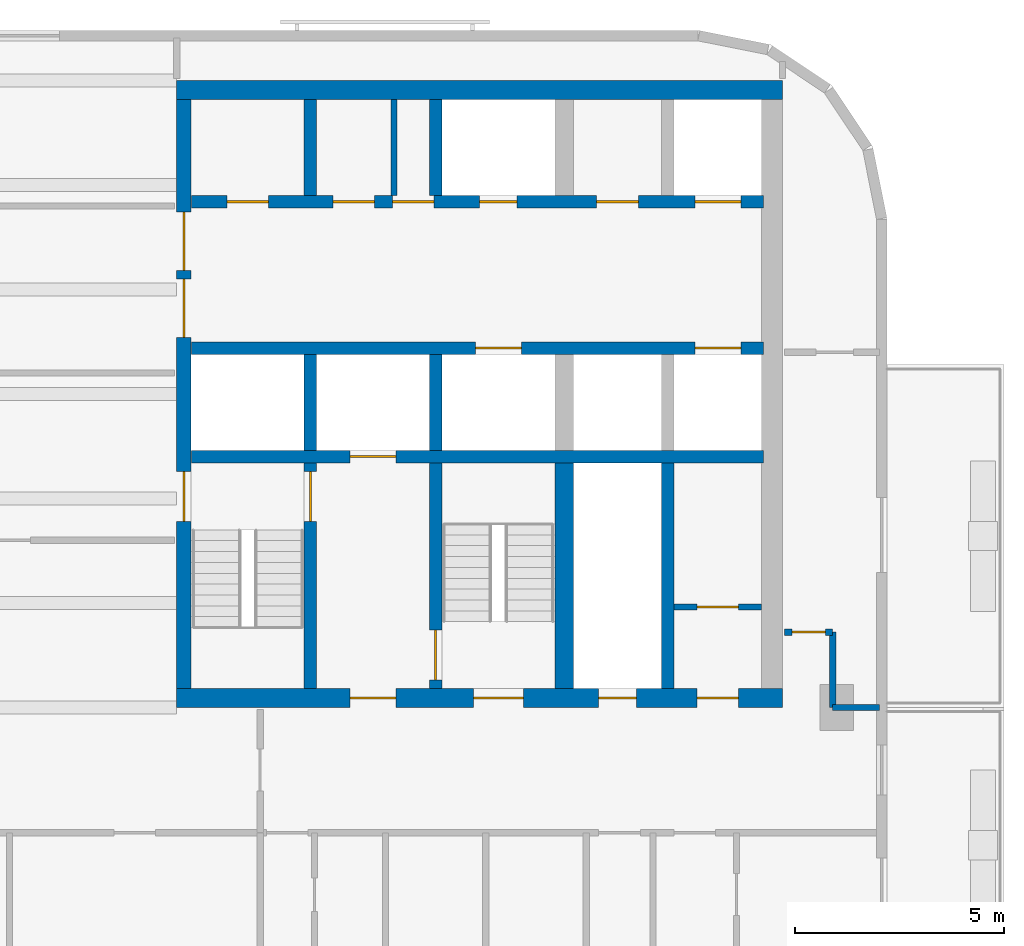
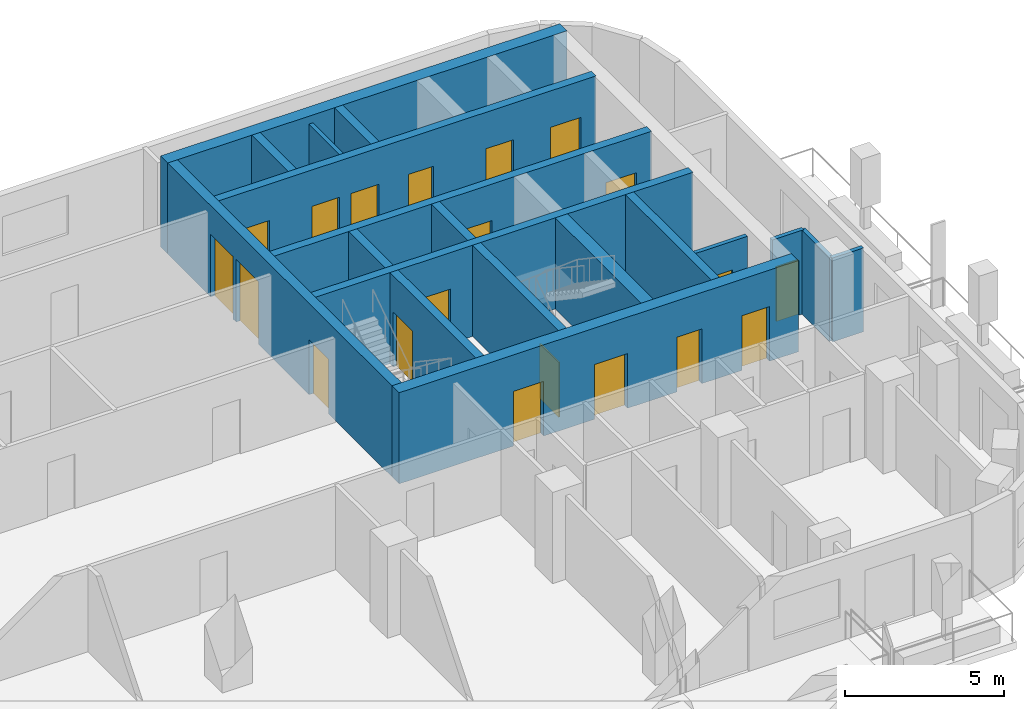
# One storey, part 6 of 11: 20 doors, 19 walls, 20 openings.
"""IFC4 building model written with IfcOpenShell, lengths in metres."""

from ifc_helpers import new_model, si_unit, direction, frame, frame_2d, origin, place, context, subcontext, project, spatial, rectangle, extrude, material, layer, layer_set, type_object, element, fill, save


model = new_model("IFC4")

# Units and contexts
model_context = context("Model", 3, precision=1e-05, world=origin(), true_north=direction((0.0, 1.0)))
body_context = subcontext(model_context, "Body", "Model", "MODEL_VIEW")
ifc_project = project(units=[si_unit("LENGTHUNIT", "METRE"), si_unit("AREAUNIT", "SQUARE_METRE"), si_unit("VOLUMEUNIT", "CUBIC_METRE"), si_unit("PLANEANGLEUNIT", "RADIAN"), si_unit("MASSUNIT", "GRAM", prefix="KILO")], contexts=[model_context])

# Site, building, storey
site_placement = place(None, origin())
site = spatial("IfcSite", under=ifc_project, at=site_placement, CompositionType="ELEMENT")
building_placement = place(site_placement, origin())
building = spatial("IfcBuilding", under=site, at=building_placement, Name="Torana Hotel and Residences", CompositionType="ELEMENT")
storey_placement = place(building_placement, frame((0.0, 0.0, 225.60009765625)))
storey = spatial("IfcBuildingStorey", under=building, at=storey_placement, Name="L59", CompositionType="ELEMENT", Elevation=225.60009765625)

# Wall, openings, doors
ifc_material_1 = material(Name="Concrete C70/85", Category="concrete")
ifc_layer_1 = layer(ifc_material_1, 0.300048828125)
ifc_layer_set_1 = layer_set([ifc_layer_1], Name="CORE WALL 300 C70/85")
wall_type_1 = type_object("IfcWallType", Name="CORE WALL 300 C70/85", PredefinedType="SHEAR", material=ifc_layer_set_1)
wall_1_placement = place(storey_placement, frame((10.35009765625, -2.89990234375, 0.0), z_axis=(0.0, 0.0, 1.0), x_axis=(1.0, 0.0, 0.0)))
wall_1 = element("IfcWall", 1, at=wall_1_placement, inside=storey, type_object=wall_type_1, Name="Core wall E row-N", PredefinedType="SHEAR", context=body_context, shape_type="SweptSolid", body=[
    extrude(rectangle(XDim=13.699951171875, YDim=0.300048828125, at=frame_2d((6.85009765625, 0.0))), origin(), (0.0, 0.0, 1.0), 3.5),
])
opening_1_placement = place(wall_1_placement, frame((12.050048828125, 0.0, 0.0)))
opening_1 = element("IfcOpeningElement", 2, at=opening_1_placement, cuts=wall_1, Name="Opening LD", PredefinedType="OPENING", context=body_context, shape_type="SweptSolid", body=[
    extrude(rectangle(XDim=1.10009765625, YDim=2.10009765625, at=frame_2d((0.550048828125, 1.050048828125))), frame((0.0, 0.159912109375, 0.0), z_axis=(0.0, -1.0, 0.0), x_axis=(1.0, 0.0, 0.0)), (0.0, 0.0, 1.0), 0.320068359375),
])
opening_2_placement = place(wall_1_placement, frame((6.89990234375, 0.0, 0.0)))
opening_2 = element("IfcOpeningElement", 3, at=opening_2_placement, cuts=wall_1, Name="Opening L59-22", PredefinedType="OPENING", context=body_context, shape_type="SweptSolid", body=[
    extrude(rectangle(XDim=0.89990234375, YDim=2.10009765625, at=frame_2d((0.449951171875, 1.050048828125))), frame((0.0, 0.159912109375, 0.0), z_axis=(0.0, -1.0, 0.0), x_axis=(1.0, 0.0, 0.0)), (0.0, 0.0, 1.0), 0.320068359375),
])
opening_3_placement = place(wall_1_placement, frame((0.85009765625, 0.0, 0.0)))
opening_3 = element("IfcOpeningElement", 4, at=opening_3_placement, cuts=wall_1, Name="Opening L59-23", PredefinedType="OPENING", context=body_context, shape_type="SweptSolid", body=[
    extrude(rectangle(XDim=1.0, YDim=2.10009765625, at=frame_2d((0.5, 1.050048828125))), frame((0.0, 0.159912109375, 0.0), z_axis=(0.0, -1.0, 0.0), x_axis=(1.0, 0.0, 0.0)), (0.0, 0.0, 1.0), 0.320068359375),
])
opening_4_placement = place(wall_1_placement, frame((3.387451171875, 0.0, 0.0)))
opening_4 = element("IfcOpeningElement", 5, at=opening_4_placement, cuts=wall_1, Name="Opening L59-24", PredefinedType="OPENING", context=body_context, shape_type="SweptSolid", body=[
    extrude(rectangle(XDim=1.0, YDim=2.10009765625, at=frame_2d((0.5, 1.050048828125))), frame((0.0, 0.159912109375, 0.0), z_axis=(0.0, -1.0, 0.0), x_axis=(1.0, 0.0, 0.0)), (0.0, 0.0, 1.0), 0.320068359375),
])
opening_5_placement = place(wall_1_placement, frame((4.8125, 0.0, 0.0)))
opening_5 = element("IfcOpeningElement", 6, at=opening_5_placement, cuts=wall_1, Name="Opening L59-25", PredefinedType="OPENING", context=body_context, shape_type="SweptSolid", body=[
    extrude(rectangle(XDim=1.0, YDim=2.10009765625, at=frame_2d((0.5, 1.050048828125))), frame((0.0, 0.159912109375, 0.0), z_axis=(0.0, -1.0, 0.0), x_axis=(1.0, 0.0, 0.0)), (0.0, 0.0, 1.0), 0.320068359375),
])
opening_6_placement = place(wall_1_placement, frame((9.699951171875, 0.0, 0.0)))
opening_6 = element("IfcOpeningElement", 7, at=opening_6_placement, cuts=wall_1, Name="Opening L59-26", PredefinedType="OPENING", context=body_context, shape_type="SweptSolid", body=[
    extrude(rectangle(XDim=1.0, YDim=2.10009765625, at=frame_2d((0.5, 1.050048828125))), frame((0.0, 0.159912109375, 0.0), z_axis=(0.0, -1.0, 0.0), x_axis=(1.0, 0.0, 0.0)), (0.0, 0.0, 1.0), 0.320068359375),
])
ifc_material_2 = material(Name="Steel S235", Category="steel")
door_type_1 = type_object("IfcDoorType", Name="CORE ROOM FIRE DOOR D14 1000x2100", OperationType="SINGLE_SWING_LEFT", PredefinedType="DOOR", material=ifc_material_2)
door_1_placement = place(opening_3_placement, origin())
door_1 = element("IfcDoor", 8, at=door_1_placement, inside=storey, type_object=door_type_1, Name="N0 door L59", OperationType="SINGLE_SWING_RIGHT", OverallHeight=2.10009765625, OverallWidth=1.0, PredefinedType="DOOR", context=body_context, shape_type="SweptSolid", body=[
    extrude(rectangle(XDim=1.0, YDim=2.10009765625, at=frame_2d((0.5, 1.050048828125))), frame((0.0, 0.02490234375, 0.0), z_axis=(0.0, -1.0, 0.0), x_axis=(1.0, 0.0, 0.0)), (0.0, 0.0, 1.0), 0.050048828125),
])
fill(opening_3, door_1)
door_2_placement = place(opening_4_placement, origin())
door_2 = element("IfcDoor", 9, at=door_2_placement, inside=storey, type_object=door_type_1, Name="N1A door L59", OperationType="SINGLE_SWING_RIGHT", OverallHeight=2.10009765625, OverallWidth=1.0, PredefinedType="DOOR", context=body_context, shape_type="SweptSolid", body=[
    extrude(rectangle(XDim=1.0, YDim=2.10009765625, at=frame_2d((0.5, 1.050048828125))), frame((0.0, 0.02490234375, 0.0), z_axis=(0.0, -1.0, 0.0), x_axis=(1.0, 0.0, 0.0)), (0.0, 0.0, 1.0), 0.050048828125),
])
fill(opening_4, door_2)
door_3_placement = place(opening_5_placement, origin())
door_3 = element("IfcDoor", 10, at=door_3_placement, inside=storey, type_object=door_type_1, Name="N1B door L59", OperationType="SINGLE_SWING_LEFT", OverallHeight=2.10009765625, OverallWidth=1.0, PredefinedType="DOOR", context=body_context, shape_type="SweptSolid", body=[
    extrude(rectangle(XDim=1.0, YDim=2.10009765625, at=frame_2d((0.5, 1.050048828125))), frame((0.0, 0.02490234375, 0.0), z_axis=(0.0, -1.0, 0.0), x_axis=(1.0, 0.0, 0.0)), (0.0, 0.0, 1.0), 0.050048828125),
])
fill(opening_5, door_3)
door_4_placement = place(opening_6_placement, origin())
door_4 = element("IfcDoor", 11, at=door_4_placement, inside=storey, type_object=door_type_1, Name="Freed-S2 door L59", OperationType="SINGLE_SWING_RIGHT", OverallHeight=2.10009765625, OverallWidth=1.0, PredefinedType="DOOR", context=body_context, shape_type="SweptSolid", body=[
    extrude(rectangle(XDim=1.0, YDim=2.10009765625, at=frame_2d((0.5, 1.050048828125))), frame((0.0, 0.02490234375, 0.0), z_axis=(0.0, -1.0, 0.0), x_axis=(1.0, 0.0, 0.0)), (0.0, 0.0, 1.0), 0.050048828125),
])
fill(opening_6, door_4)
ifc_material_3 = material(Name="Stainless steel 316", Category="steel")
door_type_2 = type_object("IfcDoorType", Name="LIFT LANDING DOOR LD 1100x2100", OperationType="DOUBLE_DOOR_SLIDING", PredefinedType="USERDEFINED", material=ifc_material_3)
door_5_placement = place(opening_1_placement, origin())
door_5 = element("IfcDoor", 12, at=door_5_placement, inside=storey, type_object=door_type_2, Name="Lift landing door M3 L59", ObjectType="LIFT LANDING DOOR", OperationType="DOUBLE_DOOR_SLIDING", OverallHeight=2.10009765625, OverallWidth=1.10009765625, PredefinedType="USERDEFINED", context=body_context, shape_type="SweptSolid", body=[
    extrude(rectangle(XDim=1.10009765625, YDim=2.10009765625, at=frame_2d((0.550048828125, 1.050048828125))), frame((0.0, 0.02490234375, 0.0), z_axis=(0.0, -1.0, 0.0), x_axis=(1.0, 0.0, 0.0)), (0.0, 0.0, 1.0), 0.050048828125),
])
fill(opening_1, door_5)
ifc_material_4 = material(Name="Steel S235", Category="steel")
door_type_3 = type_object("IfcDoorType", Name="RISER ACCESS DOOR D5 900x2100", OperationType="SINGLE_SWING_LEFT", PredefinedType="DOOR", material=ifc_material_4)
door_6_placement = place(opening_2_placement, origin())
door_6 = element("IfcDoor", 13, at=door_6_placement, inside=storey, type_object=door_type_3, Name="N2 door L59", OperationType="SINGLE_SWING_RIGHT", OverallHeight=2.10009765625, OverallWidth=0.89990234375, PredefinedType="DOOR", context=body_context, shape_type="SweptSolid", body=[
    extrude(rectangle(XDim=0.89990234375, YDim=2.10009765625, at=frame_2d((0.449951171875, 1.050048828125))), frame((0.0, 0.02490234375, 0.0), z_axis=(0.0, -1.0, 0.0), x_axis=(1.0, 0.0, 0.0)), (0.0, 0.0, 1.0), 0.050048828125),
])
fill(opening_2, door_6)

wall_2_placement = place(storey_placement, frame((10.35009765625, -6.39990234375, 0.0), z_axis=(0.0, 0.0, 1.0), x_axis=(1.0, 0.0, 0.0)))
wall_2 = element("IfcWall", 14, at=wall_2_placement, inside=storey, type_object=wall_type_1, Name="Core wall E row-S", PredefinedType="SHEAR", context=body_context, shape_type="SweptSolid", body=[
    extrude(rectangle(XDim=13.699951171875, YDim=0.300048828125, at=frame_2d((6.85009765625, 0.0))), origin(), (0.0, 0.0, 1.0), 3.5),
])
opening_7_placement = place(wall_2_placement, frame((12.050048828125, 0.0, 0.0)))
opening_7 = element("IfcOpeningElement", 15, at=opening_7_placement, cuts=wall_2, Name="Opening LD", PredefinedType="OPENING", context=body_context, shape_type="SweptSolid", body=[
    extrude(rectangle(XDim=1.10009765625, YDim=2.10009765625, at=frame_2d((0.550048828125, 1.050048828125))), frame((0.0, 0.159912109375, 0.0), z_axis=(0.0, -1.0, 0.0), x_axis=(1.0, 0.0, 0.0)), (0.0, 0.0, 1.0), 0.320068359375),
])
opening_8_placement = place(wall_2_placement, frame((6.800048828125, 0.0, 0.0)))
opening_8 = element("IfcOpeningElement", 16, at=opening_8_placement, cuts=wall_2, Name="Opening LD", PredefinedType="OPENING", context=body_context, shape_type="SweptSolid", body=[
    extrude(rectangle(XDim=1.10009765625, YDim=2.10009765625, at=frame_2d((0.550048828125, 1.050048828125))), frame((0.0, 0.159912109375, 0.0), z_axis=(0.0, -1.0, 0.0), x_axis=(1.0, 0.0, 0.0)), (0.0, 0.0, 1.0), 0.320068359375),
])
door_7_placement = place(opening_7_placement, origin())
door_7 = element("IfcDoor", 17, at=door_7_placement, inside=storey, type_object=door_type_2, Name="Lift landing door M4 L59", ObjectType="LIFT LANDING DOOR", OperationType="DOUBLE_DOOR_SLIDING", OverallHeight=2.10009765625, OverallWidth=1.10009765625, PredefinedType="USERDEFINED", context=body_context, shape_type="SweptSolid", body=[
    extrude(rectangle(XDim=1.10009765625, YDim=2.10009765625, at=frame_2d((0.550048828125, 1.050048828125))), frame((0.0, 0.02490234375, 0.0), z_axis=(0.0, -1.0, 0.0), x_axis=(1.0, 0.0, 0.0)), (0.0, 0.0, 1.0), 0.050048828125),
])
fill(opening_7, door_7)
door_8_placement = place(opening_8_placement, origin())
door_8 = element("IfcDoor", 18, at=door_8_placement, inside=storey, type_object=door_type_2, Name="Lift landing door SV2 L59", ObjectType="LIFT LANDING DOOR", OperationType="DOUBLE_DOOR_SLIDING", OverallHeight=2.10009765625, OverallWidth=1.10009765625, PredefinedType="USERDEFINED", context=body_context, shape_type="SweptSolid", body=[
    extrude(rectangle(XDim=1.10009765625, YDim=2.10009765625, at=frame_2d((0.550048828125, 1.050048828125))), frame((0.0, 0.02490234375, 0.0), z_axis=(0.0, -1.0, 0.0), x_axis=(1.0, 0.0, 0.0)), (0.0, 0.0, 1.0), 0.050048828125),
])
fill(opening_8, door_8)

# Wall, opening, door
wall_3_placement = place(storey_placement, frame((10.35009765625, -9.0, 0.0), z_axis=(0.0, 0.0, 1.0), x_axis=(1.0, 0.0, 0.0)))
wall_3 = element("IfcWall", 19, at=wall_3_placement, inside=storey, type_object=wall_type_1, Name="Core wall E band", PredefinedType="SHEAR", context=body_context, shape_type="SweptSolid", body=[
    extrude(rectangle(XDim=13.699951171875, YDim=0.300048828125, at=frame_2d((6.85009765625, 0.0))), origin(), (0.0, 0.0, 1.0), 3.5),
])
opening_9_placement = place(wall_3_placement, frame((3.800048828125, 0.0, 0.0)))
opening_9 = element("IfcOpeningElement", 20, at=opening_9_placement, cuts=wall_3, Name="Opening LD", PredefinedType="OPENING", context=body_context, shape_type="SweptSolid", body=[
    extrude(rectangle(XDim=1.10009765625, YDim=2.10009765625, at=frame_2d((0.550048828125, 1.050048828125))), frame((0.0, 0.159912109375, 0.0), z_axis=(0.0, -1.0, 0.0), x_axis=(1.0, 0.0, 0.0)), (0.0, 0.0, 1.0), 0.320068359375),
])
door_9_placement = place(opening_9_placement, origin())
door_9 = element("IfcDoor", 21, at=door_9_placement, inside=storey, type_object=door_type_2, Name="Lift landing door FF2 L59", ObjectType="LIFT LANDING DOOR", OperationType="DOUBLE_DOOR_SLIDING", OverallHeight=2.10009765625, OverallWidth=1.10009765625, PredefinedType="USERDEFINED", context=body_context, shape_type="SweptSolid", body=[
    extrude(rectangle(XDim=1.10009765625, YDim=2.10009765625, at=frame_2d((0.550048828125, 1.050048828125))), frame((0.0, 0.02490234375, 0.0), z_axis=(0.0, -1.0, 0.0), x_axis=(1.0, 0.0, 0.0)), (0.0, 0.0, 1.0), 0.050048828125),
])
fill(opening_9, door_9)

# Walls
for number, where, z_axis, x_axis, name in (
    (22, (13.199951171875, -2.75, 0.0), (0.0, 0.0, 1.0), (0.0, 1.0, 0.0), "Core wall E x3.05-N"),
    (23, (13.199951171875, -8.85009765625, 0.0), (0.0, 0.0, 1.0), (0.0, 1.0, 0.0), "Core wall E x3.05-S"),
):
    element("IfcWall", number, at=place(storey_placement, frame(where, z_axis=z_axis, x_axis=x_axis)), inside=storey, type_object=wall_type_1, Name=name, PredefinedType="SHEAR", context=body_context, shape_type="SweptSolid", body=[
        extrude(rectangle(XDim=2.300048828125, YDim=0.300048828125, at=frame_2d((1.14990234375, 0.0))), origin(), (0.0, 0.0, 1.0), 3.5),
    ])

# Wall, opening, door
wall_4_placement = place(storey_placement, frame((13.199951171875, -14.550048828125, 0.0), z_axis=(0.0, 0.0, 1.0), x_axis=(0.0, 1.0, 0.0)))
wall_4 = element("IfcWall", 24, at=wall_4_placement, inside=storey, type_object=wall_type_1, Name="Core wall E x3.05-band", PredefinedType="SHEAR", context=body_context, shape_type="SweptSolid", body=[
    extrude(rectangle(XDim=5.400146484375, YDim=0.300048828125, at=frame_2d((2.7001953125, 0.0))), origin(), (0.0, 0.0, 1.0), 3.5),
])
opening_10_placement = place(wall_4_placement, frame((4.0, 0.0, 0.0)))
opening_10 = element("IfcOpeningElement", 25, at=opening_10_placement, cuts=wall_4, Name="Opening L59-27", PredefinedType="OPENING", context=body_context, shape_type="SweptSolid", body=[
    extrude(rectangle(XDim=1.199951171875, YDim=2.10009765625, at=frame_2d((0.60009765625, 1.050048828125))), frame((0.0, 0.159912109375, 0.0), z_axis=(0.0, -1.0, 0.0), x_axis=(1.0, 0.0, 0.0)), (0.0, 0.0, 1.0), 0.320068359375),
])
ifc_material_5 = material(Name="Steel S235", Category="steel")
door_type_4 = type_object("IfcDoorType", Name="STAIR FIRE DOOR D3 1200x2100", OperationType="SINGLE_SWING_LEFT", PredefinedType="DOOR", material=ifc_material_5)
door_10_placement = place(opening_10_placement, origin())
door_10 = element("IfcDoor", 26, at=door_10_placement, inside=storey, type_object=door_type_4, Name="Stair-A-lobby door L59", OperationType="SINGLE_SWING_LEFT", OverallHeight=2.10009765625, OverallWidth=1.199951171875, PredefinedType="DOOR", context=body_context, shape_type="SweptSolid", body=[
    extrude(rectangle(XDim=1.199951171875, YDim=2.10009765625, at=frame_2d((0.60009765625, 1.050048828125))), frame((0.0, 0.02490234375, 0.0), z_axis=(0.0, -1.0, 0.0), x_axis=(1.0, 0.0, 0.0)), (0.0, 0.0, 1.0), 0.050048828125),
])
fill(opening_10, door_10)

# Walls
for number, where, z_axis, x_axis, name in (
    (27, (16.199951171875, -2.75, 0.0), (0.0, 0.0, 1.0), (0.0, 1.0, 0.0), "Core wall E x6.05-N"),
    (28, (16.199951171875, -8.85009765625, 0.0), (0.0, 0.0, 1.0), (0.0, 1.0, 0.0), "Core wall E x6.05-S"),
):
    element("IfcWall", number, at=place(storey_placement, frame(where, z_axis=z_axis, x_axis=x_axis)), inside=storey, type_object=wall_type_1, Name=name, PredefinedType="SHEAR", context=body_context, shape_type="SweptSolid", body=[
        extrude(rectangle(XDim=2.300048828125, YDim=0.300048828125, at=frame_2d((1.14990234375, 0.0))), origin(), (0.0, 0.0, 1.0), 3.5),
    ])

# Wall, opening, door
wall_5_placement = place(storey_placement, frame((16.199951171875, -14.550048828125, 0.0), z_axis=(0.0, 0.0, 1.0), x_axis=(0.0, 1.0, 0.0)))
wall_5 = element("IfcWall", 29, at=wall_5_placement, inside=storey, type_object=wall_type_1, Name="Core wall E x6.05-band", PredefinedType="SHEAR", context=body_context, shape_type="SweptSolid", body=[
    extrude(rectangle(XDim=5.400146484375, YDim=0.300048828125, at=frame_2d((2.7001953125, 0.0))), origin(), (0.0, 0.0, 1.0), 3.5),
])
opening_11_placement = place(wall_5_placement, frame((0.199951171875, 0.0, 0.0)))
opening_11 = element("IfcOpeningElement", 30, at=opening_11_placement, cuts=wall_5, Name="Opening L59-28", PredefinedType="OPENING", context=body_context, shape_type="SweptSolid", body=[
    extrude(rectangle(XDim=1.199951171875, YDim=2.10009765625, at=frame_2d((0.60009765625, 1.050048828125))), frame((0.0, 0.159912109375, 0.0), z_axis=(0.0, -1.0, 0.0), x_axis=(1.0, 0.0, 0.0)), (0.0, 0.0, 1.0), 0.320068359375),
])
door_11_placement = place(opening_11_placement, frame((0.60009765625, 0.0, 0.0), z_axis=(0.0, 0.0, 1.0), x_axis=(-1.0, 0.0, 0.0)))
door_11 = element("IfcDoor", 31, at=door_11_placement, inside=storey, type_object=door_type_4, Name="Stair-B-lobby door L59", OperationType="SINGLE_SWING_LEFT", OverallHeight=2.10009765625, OverallWidth=1.199951171875, PredefinedType="DOOR", context=body_context, shape_type="SweptSolid", body=[
    extrude(rectangle(XDim=1.199951171875, YDim=2.10009765625, at=frame_2d((0.0, 1.050048828125))), frame((0.0, -0.02490234375, 0.0), z_axis=(0.0, 1.0, 0.0), x_axis=(-1.0, 0.0, 0.0)), (0.0, 0.0, 1.0), 0.050048828125),
])
fill(opening_11, door_11)

# Wall
wall_6_placement = place(storey_placement, frame((21.75, -14.550048828125, 0.0), z_axis=(0.0, 0.0, 1.0), x_axis=(0.0, 1.0, 0.0)))
element("IfcWall", 32, at=wall_6_placement, inside=storey, type_object=wall_type_1, Name="Core wall E mm-band", PredefinedType="SHEAR", context=body_context, shape_type="SweptSolid", body=[
    extrude(rectangle(XDim=5.400146484375, YDim=0.300048828125, at=frame_2d((2.7001953125, 0.0))), origin(), (0.0, 0.0, 1.0), 3.5),
])

# Wall, openings, doors
ifc_material_6 = material(Name="Concrete C70/85", Category="concrete")
ifc_layer_2 = layer(ifc_material_6, 0.35009765625)
ifc_layer_set_2 = layer_set([ifc_layer_2], Name="CORE WALL 350 C70/85")
wall_type_2 = type_object("IfcWallType", Name="CORE WALL 350 C70/85", PredefinedType="SHEAR", material=ifc_layer_set_2)
wall_7_placement = place(storey_placement, frame((10.175048828125, -14.550048828125, 0.0), z_axis=(0.0, 0.0, 1.0), x_axis=(0.0, 1.0, 0.0)))
wall_7 = element("IfcWall", 33, at=wall_7_placement, inside=storey, type_object=wall_type_2, Name="Core wall E arch", PredefinedType="SHEAR", context=body_context, shape_type="SweptSolid", body=[
    extrude(rectangle(XDim=14.10009765625, YDim=0.35009765625, at=frame_2d((7.050048828125, 0.0))), origin(), (0.0, 0.0, 1.0), 3.5),
])
opening_12_placement = place(wall_7_placement, frame((8.39990234375, 0.0, 0.0)))
opening_12 = element("IfcOpeningElement", 34, at=opening_12_placement, cuts=wall_7, Name="Opening L59-15", PredefinedType="OPENING", context=body_context, shape_type="SweptSolid", body=[
    extrude(rectangle(XDim=1.39990234375, YDim=2.39990234375, at=frame_2d((0.699951171875, 1.199951171875))), frame((0.0, 0.18505859375, 0.0), z_axis=(0.0, -1.0, 0.0), x_axis=(1.0, 0.0, 0.0)), (0.0, 0.0, 1.0), 0.3701171875),
])
opening_13_placement = place(wall_7_placement, frame((10.0, 0.0, 0.0)))
opening_13 = element("IfcOpeningElement", 35, at=opening_13_placement, cuts=wall_7, Name="Opening L59-16", PredefinedType="OPENING", context=body_context, shape_type="SweptSolid", body=[
    extrude(rectangle(XDim=1.39990234375, YDim=2.39990234375, at=frame_2d((0.699951171875, 1.199951171875))), frame((0.0, 0.18505859375, 0.0), z_axis=(0.0, -1.0, 0.0), x_axis=(1.0, 0.0, 0.0)), (0.0, 0.0, 1.0), 0.3701171875),
])
opening_14_placement = place(wall_7_placement, frame((4.0, 0.0, 0.0)))
opening_14 = element("IfcOpeningElement", 36, at=opening_14_placement, cuts=wall_7, Name="Opening L59-17", PredefinedType="OPENING", context=body_context, shape_type="SweptSolid", body=[
    extrude(rectangle(XDim=1.199951171875, YDim=2.10009765625, at=frame_2d((0.60009765625, 1.050048828125))), frame((0.0, 0.18505859375, 0.0), z_axis=(0.0, -1.0, 0.0), x_axis=(1.0, 0.0, 0.0)), (0.0, 0.0, 1.0), 0.3701171875),
])
ifc_material_7 = material(Name="Steel S235", Category="steel")
door_type_5 = type_object("IfcDoorType", Name="LOBBY FIRE DOOR D4 1400x2400", OperationType="DOUBLE_DOOR_SINGLE_SWING", PredefinedType="DOOR", material=ifc_material_7)
door_12_placement = place(opening_12_placement, origin())
door_12 = element("IfcDoor", 37, at=door_12_placement, inside=storey, type_object=door_type_5, Name="Lobby-1 door L59", OperationType="DOUBLE_DOOR_SINGLE_SWING", OverallHeight=2.39990234375, OverallWidth=1.39990234375, PredefinedType="DOOR", context=body_context, shape_type="SweptSolid", body=[
    extrude(rectangle(XDim=1.39990234375, YDim=2.39990234375, at=frame_2d((0.699951171875, 1.199951171875))), frame((0.0, 0.02490234375, 0.0), z_axis=(0.0, -1.0, 0.0), x_axis=(1.0, 0.0, 0.0)), (0.0, 0.0, 1.0), 0.050048828125),
])
fill(opening_12, door_12)
door_13_placement = place(opening_13_placement, origin())
door_13 = element("IfcDoor", 38, at=door_13_placement, inside=storey, type_object=door_type_5, Name="Lobby-2 door L59", OperationType="DOUBLE_DOOR_SINGLE_SWING", OverallHeight=2.39990234375, OverallWidth=1.39990234375, PredefinedType="DOOR", context=body_context, shape_type="SweptSolid", body=[
    extrude(rectangle(XDim=1.39990234375, YDim=2.39990234375, at=frame_2d((0.699951171875, 1.199951171875))), frame((0.0, 0.02490234375, 0.0), z_axis=(0.0, -1.0, 0.0), x_axis=(1.0, 0.0, 0.0)), (0.0, 0.0, 1.0), 0.050048828125),
])
fill(opening_13, door_13)
door_14_placement = place(opening_14_placement, frame((0.60009765625, 0.0, 0.0), z_axis=(0.0, 0.0, 1.0), x_axis=(-1.0, 0.0, 0.0)))
door_14 = element("IfcDoor", 39, at=door_14_placement, inside=storey, type_object=door_type_4, Name="Stair-A door L59", OperationType="SINGLE_SWING_RIGHT", OverallHeight=2.10009765625, OverallWidth=1.199951171875, PredefinedType="DOOR", context=body_context, shape_type="SweptSolid", body=[
    extrude(rectangle(XDim=1.199951171875, YDim=2.10009765625, at=frame_2d((0.0, 1.050048828125))), frame((0.0, -0.02490234375, 0.0), z_axis=(0.0, 1.0, 0.0), x_axis=(-1.0, 0.0, 0.0)), (0.0, 0.0, 1.0), 0.050048828125),
])
fill(opening_14, door_14)

# Wall
ifc_material_8 = material(Name="Concrete C70/85", Category="concrete")
ifc_layer_3 = layer(ifc_material_8, 0.449951171875)
ifc_layer_set_3 = layer_set([ifc_layer_3], Name="CORE WALL 450 C70/85")
wall_type_3 = type_object("IfcWallType", Name="CORE WALL 450 C70/85", PredefinedType="SHEAR", material=ifc_layer_set_3)
wall_8_placement = place(storey_placement, frame((10.0, -0.22509765625, 0.0), z_axis=(0.0, 0.0, 1.0), x_axis=(1.0, 0.0, 0.0)))
element("IfcWall", 40, at=wall_8_placement, inside=storey, type_object=wall_type_3, Name="Core wall E rear", PredefinedType="SHEAR", context=body_context, shape_type="SweptSolid", body=[
    extrude(rectangle(XDim=14.5, YDim=0.449951171875, at=frame_2d((7.25, 0.0))), origin(), (0.0, 0.0, 1.0), 3.5),
])

# Wall, openings, doors
wall_9_placement = place(storey_placement, frame((10.0, -14.77490234375, 0.0), z_axis=(0.0, 0.0, 1.0), x_axis=(1.0, 0.0, 0.0)))
wall_9 = element("IfcWall", 41, at=wall_9_placement, inside=storey, type_object=wall_type_3, Name="Core wall E front", PredefinedType="SHEAR", context=body_context, shape_type="SweptSolid", body=[
    extrude(rectangle(XDim=14.5, YDim=0.449951171875, at=frame_2d((7.25, 0.0))), origin(), (0.0, 0.0, 1.0), 3.5),
])
opening_15_placement = place(wall_9_placement, frame((7.10009765625, 0.0, 0.0)))
opening_15 = element("IfcOpeningElement", 42, at=opening_15_placement, cuts=wall_9, Name="Opening L59-18", PredefinedType="OPENING", context=body_context, shape_type="SweptSolid", body=[
    extrude(rectangle(XDim=1.199951171875, YDim=2.10009765625, at=frame_2d((0.60009765625, 1.050048828125))), frame((0.0, 0.23486328125, 0.0), z_axis=(0.0, -1.0, 0.0), x_axis=(1.0, 0.0, 0.0)), (0.0, 0.0, 1.0), 0.469970703125),
])
opening_16_placement = place(wall_9_placement, frame((4.14990234375, 0.0, 0.0)))
opening_16 = element("IfcOpeningElement", 43, at=opening_16_placement, cuts=wall_9, Name="Opening L59-19", PredefinedType="OPENING", context=body_context, shape_type="SweptSolid", body=[
    extrude(rectangle(XDim=1.10009765625, YDim=2.10009765625, at=frame_2d((0.550048828125, 1.050048828125))), frame((0.0, 0.23486328125, 0.0), z_axis=(0.0, -1.0, 0.0), x_axis=(1.0, 0.0, 0.0)), (0.0, 0.0, 1.0), 0.469970703125),
])
opening_17_placement = place(wall_9_placement, frame((10.10009765625, 0.0, 0.0)))
opening_17 = element("IfcOpeningElement", 44, at=opening_17_placement, cuts=wall_9, Name="Opening L59-20", PredefinedType="OPENING", context=body_context, shape_type="SweptSolid", body=[
    extrude(rectangle(XDim=0.89990234375, YDim=2.10009765625, at=frame_2d((0.449951171875, 1.050048828125))), frame((0.0, 0.23486328125, 0.0), z_axis=(0.0, -1.0, 0.0), x_axis=(1.0, 0.0, 0.0)), (0.0, 0.0, 1.0), 0.469970703125),
])
opening_18_placement = place(wall_9_placement, frame((12.449951171875, 0.0, 0.0)))
opening_18 = element("IfcOpeningElement", 45, at=opening_18_placement, cuts=wall_9, Name="Opening L59-21", PredefinedType="OPENING", context=body_context, shape_type="SweptSolid", body=[
    extrude(rectangle(XDim=1.0, YDim=2.10009765625, at=frame_2d((0.5, 1.050048828125))), frame((0.0, 0.23486328125, 0.0), z_axis=(0.0, -1.0, 0.0), x_axis=(1.0, 0.0, 0.0)), (0.0, 0.0, 1.0), 0.469970703125),
])
door_15_placement = place(opening_18_placement, origin())
door_15 = element("IfcDoor", 46, at=door_15_placement, inside=storey, type_object=door_type_1, Name="M-Room-B door L59", OperationType="SINGLE_SWING_RIGHT", OverallHeight=2.10009765625, OverallWidth=1.0, PredefinedType="DOOR", context=body_context, shape_type="SweptSolid", body=[
    extrude(rectangle(XDim=1.0, YDim=2.10009765625, at=frame_2d((0.5, 1.050048828125))), frame((0.0, 0.02490234375, 0.0), z_axis=(0.0, -1.0, 0.0), x_axis=(1.0, 0.0, 0.0)), (0.0, 0.0, 1.0), 0.050048828125),
])
fill(opening_18, door_15)
ifc_material_9 = material(Name="Steel S235", Category="steel")
door_type_6 = type_object("IfcDoorType", Name="FIRE-FIGHTING LOBBY DOOR D8 1100x2100", OperationType="SINGLE_SWING_LEFT", PredefinedType="DOOR", material=ifc_material_9)
door_16_placement = place(opening_16_placement, origin())
door_16 = element("IfcDoor", 47, at=door_16_placement, inside=storey, type_object=door_type_6, Name="FF-lobby door L59", OperationType="SINGLE_SWING_RIGHT", OverallHeight=2.10009765625, OverallWidth=1.10009765625, PredefinedType="DOOR", context=body_context, shape_type="SweptSolid", body=[
    extrude(rectangle(XDim=1.10009765625, YDim=2.10009765625, at=frame_2d((0.550048828125, 1.050048828125))), frame((0.0, 0.02490234375, 0.0), z_axis=(0.0, -1.0, 0.0), x_axis=(1.0, 0.0, 0.0)), (0.0, 0.0, 1.0), 0.050048828125),
])
fill(opening_16, door_16)
door_17_placement = place(opening_17_placement, origin())
door_17 = element("IfcDoor", 48, at=door_17_placement, inside=storey, type_object=door_type_3, Name="M-Riser door L59", OperationType="SINGLE_SWING_RIGHT", OverallHeight=2.10009765625, OverallWidth=0.89990234375, PredefinedType="DOOR", context=body_context, shape_type="SweptSolid", body=[
    extrude(rectangle(XDim=0.89990234375, YDim=2.10009765625, at=frame_2d((0.449951171875, 1.050048828125))), frame((0.0, 0.02490234375, 0.0), z_axis=(0.0, -1.0, 0.0), x_axis=(1.0, 0.0, 0.0)), (0.0, 0.0, 1.0), 0.050048828125),
])
fill(opening_17, door_17)
door_18_placement = place(opening_15_placement, origin())
door_18 = element("IfcDoor", 49, at=door_18_placement, inside=storey, type_object=door_type_4, Name="Stair-B door L59", OperationType="SINGLE_SWING_RIGHT", OverallHeight=2.10009765625, OverallWidth=1.199951171875, PredefinedType="DOOR", context=body_context, shape_type="SweptSolid", body=[
    extrude(rectangle(XDim=1.199951171875, YDim=2.10009765625, at=frame_2d((0.60009765625, 1.050048828125))), frame((0.0, 0.02490234375, 0.0), z_axis=(0.0, -1.0, 0.0), x_axis=(1.0, 0.0, 0.0)), (0.0, 0.0, 1.0), 0.050048828125),
])
fill(opening_15, door_18)

# Walls
wall_10_placement = place(storey_placement, frame((19.27490234375, -14.550048828125, 0.0), z_axis=(0.0, 0.0, 1.0), x_axis=(0.0, 1.0, 0.0)))
element("IfcWall", 50, at=wall_10_placement, inside=storey, type_object=wall_type_3, Name="Core wall E hm-band", PredefinedType="SHEAR", context=body_context, shape_type="SweptSolid", body=[
    extrude(rectangle(XDim=5.400146484375, YDim=0.449951171875, at=frame_2d((2.7001953125, 0.0))), origin(), (0.0, 0.0, 1.0), 3.5),
])
ifc_material_10 = material(Name="Gypsum plaster")
ifc_layer_4 = layer(ifc_material_10, 0.014892578125, Name="Plaster", Category="finish")
ifc_material_11 = material(Name="Concrete blockwork", Category="masonry")
ifc_layer_5 = layer(ifc_material_11, 0.1201171875, Name="Blockwork", Category="structure")
ifc_layer_6 = layer(ifc_material_10, 0.014892578125, Name="Plaster", Category="finish")
ifc_layer_set_4 = layer_set([ifc_layer_4, ifc_layer_5, ifc_layer_6], Name="FIRE PARTITION 150 BLOCKWORK")
wall_type_4 = type_object("IfcWallType", Name="FIRE PARTITION 150 BLOCKWORK", PredefinedType="PARTITIONING", material=ifc_layer_set_4)
wall_11_placement = place(storey_placement, frame((15.199951171875, -2.75, 0.0), z_axis=(0.0, 0.0, 1.0), x_axis=(0.0, 1.0, 0.0)))
element("IfcWall", 51, at=wall_11_placement, inside=storey, type_object=wall_type_4, Name="Core partition L59", PredefinedType="PARTITIONING", context=body_context, shape_type="SweptSolid", body=[
    extrude(rectangle(XDim=2.300048828125, YDim=0.14990234375, at=frame_2d((1.14990234375, 0.0))), origin(), (0.0, 0.0, 1.0), 3.199951171875),
])

# Wall, opening, door
wall_12_placement = place(storey_placement, frame((21.89990234375, -12.60009765625, 0.0), z_axis=(0.0, 0.0, 1.0), x_axis=(1.0, 0.0, 0.0)))
wall_12 = element("IfcWall", 52, at=wall_12_placement, inside=storey, type_object=wall_type_4, Name="Core partition L59", PredefinedType="PARTITIONING", context=body_context, shape_type="SweptSolid", body=[
    extrude(rectangle(XDim=2.10009765625, YDim=0.14990234375, at=frame_2d((1.050048828125, 0.0))), origin(), (0.0, 0.0, 1.0), 3.199951171875),
])
opening_19_placement = place(wall_12_placement, frame((0.550048828125, 0.0, 0.0)))
opening_19 = element("IfcOpeningElement", 53, at=opening_19_placement, cuts=wall_12, Name="Opening L59-30", PredefinedType="OPENING", context=body_context, shape_type="SweptSolid", body=[
    extrude(rectangle(XDim=1.0, YDim=2.10009765625, at=frame_2d((0.5, 1.050048828125))), frame((0.0, 0.0849609375, 0.0), z_axis=(0.0, -1.0, 0.0), x_axis=(1.0, 0.0, 0.0)), (0.0, 0.0, 1.0), 0.169921875),
])
door_19_placement = place(opening_19_placement, origin())
door_19 = element("IfcDoor", 54, at=door_19_placement, inside=storey, type_object=door_type_1, Name="Plant room door L59", OperationType="SINGLE_SWING_RIGHT", OverallHeight=2.10009765625, OverallWidth=1.0, PredefinedType="DOOR", context=body_context, shape_type="SweptSolid", body=[
    extrude(rectangle(XDim=1.0, YDim=2.10009765625, at=frame_2d((0.5, 1.050048828125))), frame((0.0, 0.02490234375, 0.0), z_axis=(0.0, -1.0, 0.0), x_axis=(1.0, 0.0, 0.0)), (0.0, 0.0, 1.0), 0.050048828125),
])
fill(opening_19, door_19)

# Walls
wall_13_placement = place(storey_placement, frame((25.699951171875, -15.0, 0.0), z_axis=(0.0, 0.0, 1.0), x_axis=(0.0, 1.0, 0.0)))
element("IfcWall", 55, at=wall_13_placement, inside=storey, type_object=wall_type_4, Name="Partition L59", PredefinedType="PARTITIONING", context=body_context, shape_type="SweptSolid", body=[
    extrude(rectangle(XDim=1.800048828125, YDim=0.14990234375, at=frame_2d((0.89990234375, 0.0))), origin(), (0.0, 0.0, 1.0), 3.219970703125),
])
wall_14_placement = place(storey_placement, frame((25.699951171875, -15.0, 0.0), z_axis=(0.0, 0.0, 1.0), x_axis=(1.0, 0.0, 0.0)))
element("IfcWall", 56, at=wall_14_placement, inside=storey, type_object=wall_type_4, Name="Partition L59", PredefinedType="PARTITIONING", context=body_context, shape_type="SweptSolid", body=[
    extrude(rectangle(XDim=1.1201171875, YDim=0.14990234375, at=frame_2d((0.56005859375, 0.0))), origin(), (0.0, 0.0, 1.0), 3.219970703125),
])

# Wall, opening, door
wall_15_placement = place(storey_placement, frame((24.550048828125, -13.199951171875, 0.0), z_axis=(0.0, 0.0, 1.0), x_axis=(1.0, 0.0, 0.0)))
wall_15 = element("IfcWall", 57, at=wall_15_placement, inside=storey, type_object=wall_type_4, Name="Partition L59", PredefinedType="PARTITIONING", context=body_context, shape_type="SweptSolid", body=[
    extrude(rectangle(XDim=1.14990234375, YDim=0.14990234375, at=frame_2d((0.574951171875, 0.0))), origin(), (0.0, 0.0, 1.0), 3.219970703125),
])
opening_20_placement = place(wall_15_placement, frame((0.175048828125, 0.0, 0.0)))
opening_20 = element("IfcOpeningElement", 58, at=opening_20_placement, cuts=wall_15, Name="Opening L59-39", PredefinedType="OPENING", context=body_context, shape_type="SweptSolid", body=[
    extrude(rectangle(XDim=0.800048828125, YDim=2.10009765625, at=frame_2d((0.39990234375, 1.050048828125))), frame((0.0, 0.0849609375, 0.0), z_axis=(0.0, -1.0, 0.0), x_axis=(1.0, 0.0, 0.0)), (0.0, 0.0, 1.0), 0.169921875),
])
ifc_material_12 = material(Name="Steel S235", Category="steel")
door_type_7 = type_object("IfcDoorType", Name="STORE FIRE DOOR D16 800x2100", OperationType="SINGLE_SWING_LEFT", PredefinedType="DOOR", material=ifc_material_12)
door_20_placement = place(opening_20_placement, origin())
door_20 = element("IfcDoor", 59, at=door_20_placement, inside=storey, type_object=door_type_7, Name="Door L59", OperationType="SINGLE_SWING_RIGHT", OverallHeight=2.10009765625, OverallWidth=0.800048828125, PredefinedType="DOOR", context=body_context, shape_type="SweptSolid", body=[
    extrude(rectangle(XDim=0.800048828125, YDim=2.10009765625, at=frame_2d((0.39990234375, 1.050048828125))), frame((0.0, 0.02490234375, 0.0), z_axis=(0.0, -1.0, 0.0), x_axis=(1.0, 0.0, 0.0)), (0.0, 0.0, 1.0), 0.050048828125),
])
fill(opening_20, door_20)

save(model, "model.ifc")
